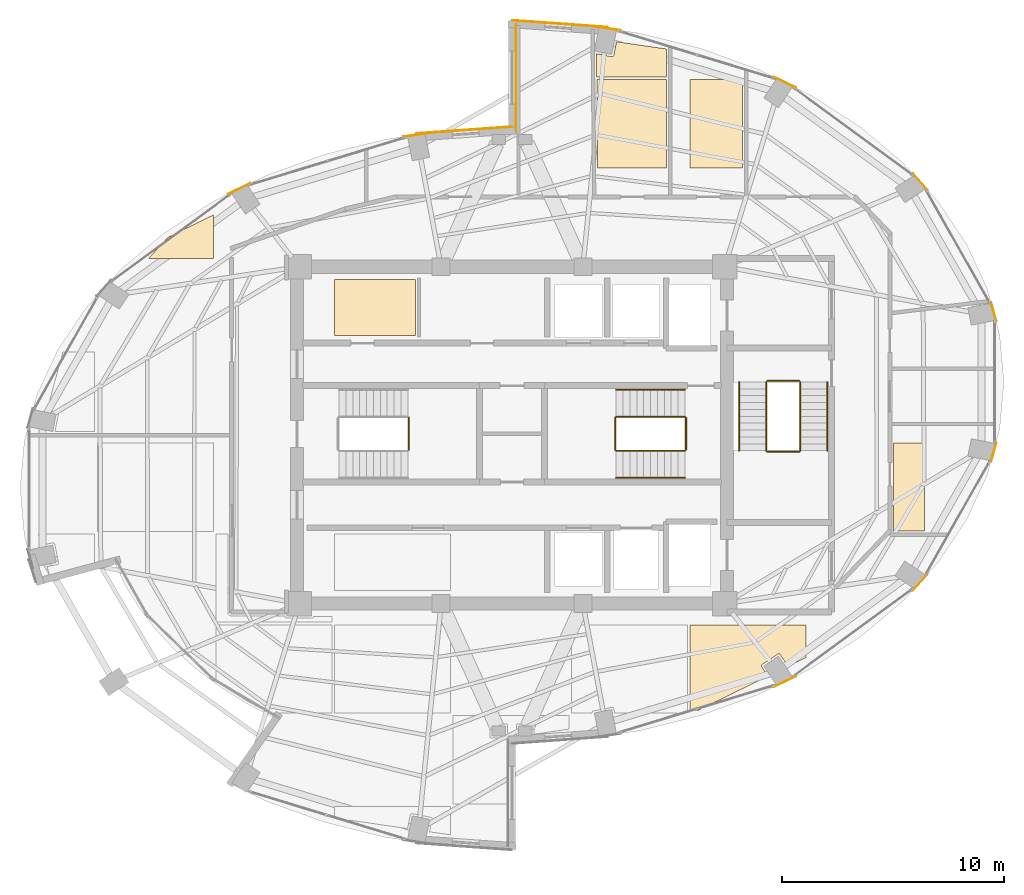
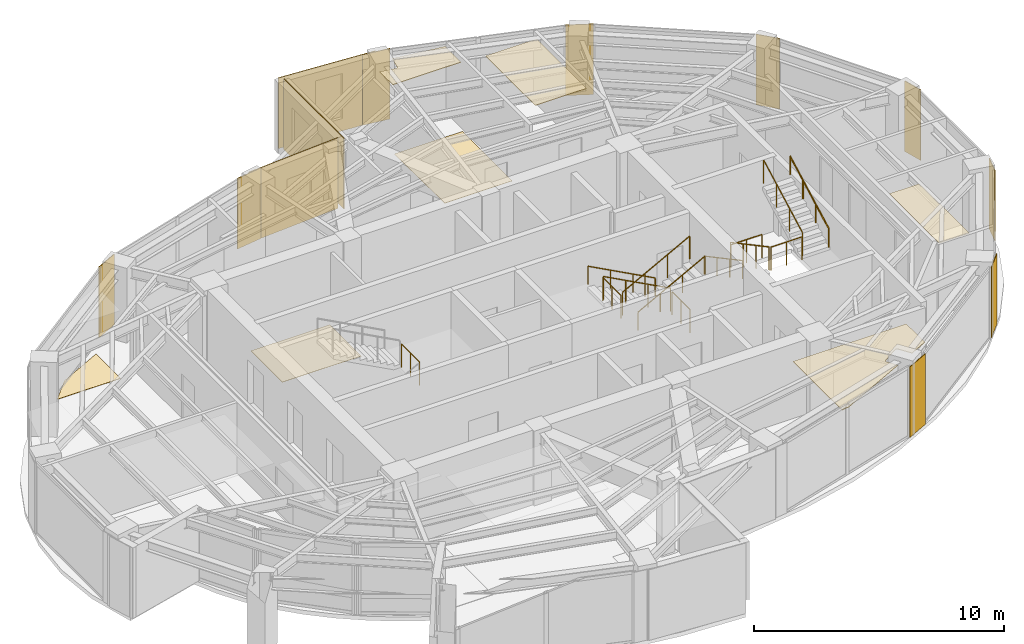
# One storey, part 22 of 22: 19 coverings, 13 railings.
"""IFC4 building model written with IfcOpenShell, lengths in metres."""

from ifc_helpers import new_model, si_unit, direction, frame, origin, origin_2d, place, context, subcontext, project, spatial, polyline, rectangle, circle, outline, extrude, material, layer, layer_set, type_object, element, save


model = new_model("IFC4")

# Units and contexts
model_context = context("Model", 3, precision=1e-05, world=origin(), true_north=direction((0.0, 1.0)))
body_context = subcontext(model_context, "Body", "Model", "MODEL_VIEW")
ifc_project = project(units=[si_unit("LENGTHUNIT", "METRE"), si_unit("AREAUNIT", "SQUARE_METRE"), si_unit("VOLUMEUNIT", "CUBIC_METRE"), si_unit("PLANEANGLEUNIT", "RADIAN"), si_unit("MASSUNIT", "GRAM", prefix="KILO")], contexts=[model_context])

# Site, building, storey
site_placement = place(None, origin())
site = spatial("IfcSite", under=ifc_project, at=site_placement, CompositionType="ELEMENT")
building_placement = place(site_placement, origin())
building = spatial("IfcBuilding", under=site, at=building_placement, Name="Lazwardi Medical Tower", CompositionType="ELEMENT")
storey_placement = place(building_placement, frame((0.0, 0.0, 224.01611328125)))
storey = spatial("IfcBuildingStorey", under=building, at=storey_placement, Name="L58", CompositionType="ELEMENT", Elevation=224.01611328125)

# Coverings
ifc_material_1 = material(Name="Anodised bronze aluminium cassette cladding", Category="aluminium")
ifc_layer_1 = layer(ifc_material_1, 0.030029296875)
ifc_layer_set_1 = layer_set([ifc_layer_1], Name="Anodised bronze aluminium cassette cladding")
covering_type_1 = type_object("IfcCoveringType", Name="COV-CLD-BRZ", PredefinedType="CLADDING", material=ifc_layer_set_1)
covering_1_placement = place(storey_placement, frame((48.311279296875, 16.878662109375, 0.0), z_axis=(0.0, 0.0, 1.0), x_axis=(0.897840141691, 0.440321564278, 0.0)))
element("IfcCovering", 1, at=covering_1_placement, inside=storey, type_object=covering_type_1, Name="L58 Mega-column bronze cassette cover M02", PredefinedType="CLADDING", context=body_context, shape_type="SweptSolid", body=[
    extrude(rectangle(XDim=1.110595703125, YDim=0.030029296875, at=origin_2d()), origin(), (0.0, 0.0, 1.0), 3.447998046875),
])
covering_2_placement = place(storey_placement, frame((54.42529296875, 21.365234375, 0.0), z_axis=(0.0, 0.0, 1.0), x_axis=(0.673240970654, 0.739423150458, 0.0)))
element("IfcCovering", 2, at=covering_2_placement, inside=storey, type_object=covering_type_1, Name="L58 Mega-column bronze cassette cover M03", PredefinedType="CLADDING", context=body_context, shape_type="SweptSolid", body=[
    extrude(rectangle(XDim=0.98974609375, YDim=0.030029296875, at=origin_2d()), origin(), (0.0, 0.0, 1.0), 3.447998046875),
])
for number, where, z_axis, x_axis, name in (
    (3, (57.734130859375, 27.227294921875, 0.0), (0.0, 0.0, 1.0), (0.261641748247, 0.96516506131, 0.0), "L58 Mega-column bronze cassette cover M04"),
    (4, (57.734130859375, 33.572509765625, 0.0), (0.0, 0.0, 1.0), (-0.261641748247, 0.96516506131, 0.0), "L58 Mega-column bronze cassette cover M05"),
):
    element("IfcCovering", number, at=place(storey_placement, frame(where, z_axis=z_axis, x_axis=x_axis)), inside=storey, type_object=covering_type_1, Name=name, PredefinedType="CLADDING", context=body_context, shape_type="SweptSolid", body=[
        extrude(rectangle(XDim=0.894287109375, YDim=0.030029296875, at=origin_2d()), origin(), (0.0, 0.0, 1.0), 3.447998046875),
    ])
covering_3_placement = place(storey_placement, frame((54.42529296875, 39.434814453125, 0.0), z_axis=(0.0, 0.0, 1.0), x_axis=(-0.673240970654, 0.739423150458, 0.0)))
element("IfcCovering", 5, at=covering_3_placement, inside=storey, type_object=covering_type_1, Name="L58 Mega-column bronze cassette cover M06", PredefinedType="CLADDING", context=body_context, shape_type="SweptSolid", body=[
    extrude(rectangle(XDim=0.98974609375, YDim=0.030029296875, at=origin_2d()), origin(), (0.0, 0.0, 1.0), 3.447998046875),
])
covering_4_placement = place(storey_placement, frame((48.311279296875, 43.92138671875, 0.0), z_axis=(0.0, 0.0, 1.0), x_axis=(-0.897840141691, 0.440321564278, 0.0)))
element("IfcCovering", 6, at=covering_4_placement, inside=storey, type_object=covering_type_1, Name="L58 Mega-column bronze cassette cover M07", PredefinedType="CLADDING", context=body_context, shape_type="SweptSolid", body=[
    extrude(rectangle(XDim=1.110595703125, YDim=0.030029296875, at=origin_2d()), origin(), (0.0, 0.0, 1.0), 3.447998046875),
])
for number, where, z_axis, x_axis, name in (
    (7, (40.3232421875, 46.349609375, 0.0), (0.0, 0.0, 1.0), (-0.989512431533, 0.144447733943, 0.0), "L58 Mega-column bronze cassette cover M08"),
    (8, (31.6767578125, 41.549560546875, 0.0), (0.0, 0.0, 1.0), (-0.989512431533, -0.144447733943, 0.0), "L58 Mega-column bronze cassette cover M09"),
):
    element("IfcCovering", number, at=place(storey_placement, frame(where, z_axis=z_axis, x_axis=x_axis)), inside=storey, type_object=covering_type_1, Name=name, PredefinedType="CLADDING", context=body_context, shape_type="SweptSolid", body=[
        extrude(rectangle(XDim=1.188720703125, YDim=0.030029296875, at=origin_2d()), origin(), (0.0, 0.0, 1.0), 3.447998046875),
    ])
covering_5_placement = place(storey_placement, frame((23.688720703125, 39.121337890625, 0.0), z_axis=(0.0, 0.0, 1.0), x_axis=(-0.897840141691, -0.440321564278, 0.0)))
element("IfcCovering", 9, at=covering_5_placement, inside=storey, type_object=covering_type_1, Name="L58 Mega-column bronze cassette cover M10", PredefinedType="CLADDING", context=body_context, shape_type="SweptSolid", body=[
    extrude(rectangle(XDim=1.110595703125, YDim=0.030029296875, at=origin_2d()), origin(), (0.0, 0.0, 1.0), 3.447998046875),
])
ifc_material_2 = material(Name="Turquoise glazed ceramic tilework cladding", Category="masonry")
ifc_layer_2 = layer(ifc_material_2, 0.034912109375)
ifc_layer_set_2 = layer_set([ifc_layer_2], Name="Turquoise glazed ceramic tilework cladding")
covering_type_2 = type_object("IfcCoveringType", Name="COV-CLD-TRQ", PredefinedType="CLADDING", material=ifc_layer_set_2)
covering_6_placement = place(storey_placement, frame((38.16259765625, 46.56005859375, 0.0), z_axis=(0.0, 0.0, 1.0), x_axis=(-0.997409491337, 0.071932653157, 0.0)))
element("IfcCovering", 10, at=covering_6_placement, inside=storey, type_object=covering_type_2, Name="L58 Turquoise glazed ceramic tilework cladding", PredefinedType="CLADDING", context=body_context, shape_type="SweptSolid", body=[
    extrude(rectangle(XDim=4.31103515625, YDim=0.034912109375, at=origin_2d()), origin(), (0.0, 0.0, 1.0), 3.447998046875),
])
covering_7_placement = place(storey_placement, frame((33.83740234375, 41.760009765625, 0.0), z_axis=(0.0, 0.0, 1.0), x_axis=(-0.997408989128, -0.071939616387, 0.0)))
element("IfcCovering", 11, at=covering_7_placement, inside=storey, type_object=covering_type_2, Name="L58 Turquoise glazed ceramic tilework cladding", PredefinedType="CLADDING", context=body_context, shape_type="SweptSolid", body=[
    extrude(rectangle(XDim=4.310546875, YDim=0.034912109375, at=origin_2d()), origin(), (0.0, 0.0, 1.0), 3.447998046875),
])
covering_8_placement = place(storey_placement, frame((36.175537109375, 44.139892578125, 0.0), z_axis=(0.0, 0.0, 1.0), x_axis=(0.0, -1.0, 0.0)))
element("IfcCovering", 12, at=covering_8_placement, inside=storey, type_object=covering_type_2, Name="L58 Turquoise glazed ceramic tilework iwan panel", PredefinedType="CLADDING", context=body_context, shape_type="SweptSolid", body=[
    extrude(rectangle(XDim=4.800048828125, YDim=0.034912109375, at=origin_2d()), origin(), (0.0, 0.0, 1.0), 3.447998046875),
])
ifc_material_3 = material(Name="Acoustic mineral fibre tile")
ifc_layer_3 = layer(ifc_material_3, 0.02490234375)
ifc_layer_set_3 = layer_set([ifc_layer_3], Name="Acoustic mineral fibre tile")
covering_type_3 = type_object("IfcCoveringType", Name="COV-CLG-01", PredefinedType="CEILING", material=ifc_layer_set_3)
covering_9_placement = place(storey_placement, frame((0.0, 0.0, 3.302978515625)))
element("IfcCovering", 13, at=covering_9_placement, inside=storey, type_object=covering_type_3, Name="L58 Clinical Acoustic Ceiling 7", PredefinedType="CEILING", context=body_context, shape_type="SweptSolid", body=[
    extrude(outline(polyline([(42.97509765625, 44.16259765625), (42.97509765625, 45.42333984375), (40.714599609375, 45.752685546875), (40.59326171875, 45.1416015625), (40.59130859375, 45.134033203125), (40.588623046875, 45.126708984375), (40.585205078125, 45.11962890625), (40.581298828125, 45.11279296875), (40.576416015625, 45.1064453125), (40.5712890625, 45.1005859375), (40.5654296875, 45.095458984375), (40.55908203125, 45.0908203125), (40.552490234375, 45.086669921875), (40.54541015625, 45.08349609375), (40.537841796875, 45.080810546875), (40.5302734375, 45.078857421875), (40.5224609375, 45.07763671875), (40.5146484375, 45.077392578125), (40.5068359375, 45.07763671875), (40.4990234375, 45.078857421875), (39.81298828125, 45.21533203125), (39.822998046875, 44.16259765625), (42.97509765625, 44.16259765625)])), origin(), (0.0, 0.0, 1.0), 0.02490234375),
])
covering_10_placement = place(storey_placement, frame((0.0, 0.0, 3.302978515625)))
element("IfcCovering", 14, at=covering_10_placement, inside=storey, type_object=covering_type_3, Name="L58 Clinical Acoustic Ceiling 8", PredefinedType="CEILING", context=body_context, shape_type="SweptSolid", body=[
    extrude(outline(polyline([(44.04296875, 15.531982421875), (44.40283203125, 15.58447265625), (47.5478515625, 17.122802734375), (47.267822265625, 17.5419921875), (47.263916015625, 17.548828125), (47.260498046875, 17.555908203125), (47.2578125, 17.563232421875), (47.255859375, 17.57080078125), (47.2548828125, 17.57861328125), (47.25439453125, 17.58642578125), (47.2548828125, 17.59423828125), (47.255859375, 17.60205078125), (47.2578125, 17.609619140625), (47.260498046875, 17.6171875), (47.263916015625, 17.624267578125), (47.267822265625, 17.630859375), (47.272705078125, 17.63720703125), (47.27783203125, 17.64306640625), (47.28369140625, 17.648193359375), (47.2900390625, 17.653076171875), (47.98828125, 18.11962890625), (47.9951171875, 18.123779296875), (48.002197265625, 18.127197265625), (48.009521484375, 18.1298828125), (48.01708984375, 18.131591796875), (48.02490234375, 18.1328125), (48.03271484375, 18.13330078125), (48.04052734375, 18.1328125), (48.04833984375, 18.131591796875), (48.055908203125, 18.1298828125), (48.0634765625, 18.127197265625), (48.070556640625, 18.123779296875), (48.0771484375, 18.11962890625), (48.08349609375, 18.114990234375), (48.08935546875, 18.10986328125), (48.094482421875, 18.10400390625), (48.099365234375, 18.09765625), (48.454345703125, 17.56640625), (49.27294921875, 17.966796875), (49.27294921875, 19.4423828125), (44.04296875, 19.4423828125), (44.04296875, 15.531982421875)])), origin(), (0.0, 0.0, 1.0), 0.02490234375),
])
covering_11_placement = place(storey_placement, frame((0.0, 0.0, 3.302978515625)))
element("IfcCovering", 15, at=covering_11_placement, inside=storey, type_object=covering_type_3, Name="L58 Clinical Acoustic Ceiling 9", PredefinedType="CEILING", context=body_context, shape_type="SweptSolid", body=[
    extrude(outline(polyline([(46.405029296875, 40.0625), (46.405029296875, 44.04248046875), (44.04296875, 44.04248046875), (44.04296875, 40.0625), (46.405029296875, 40.0625)])), origin(), (0.0, 0.0, 1.0), 0.02490234375),
])
covering_12_placement = place(storey_placement, frame((0.0, 0.0, 3.302978515625)))
element("IfcCovering", 16, at=covering_12_placement, inside=storey, type_object=covering_type_3, Name="L58 Clinical Acoustic Ceiling 10", PredefinedType="CEILING", context=body_context, shape_type="SweptSolid", body=[
    extrude(outline(polyline([(53.22509765625, 27.642578125), (53.22509765625, 23.685546875), (53.224853515625, 23.681884765625), (53.224609375, 23.6728515625), (53.223876953125, 23.6650390625), (54.622802734375, 23.6650390625), (54.622802734375, 27.642578125), (53.22509765625, 27.642578125)])), origin(), (0.0, 0.0, 1.0), 0.02490234375),
])
ifc_material_4 = material(Name="Anti-static hospital vinyl sheet flooring")
ifc_layer_4 = layer(ifc_material_4, 0.014892578125)
ifc_layer_set_4 = layer_set([ifc_layer_4], Name="Anti-static hospital vinyl sheet flooring")
covering_type_4 = type_object("IfcCoveringType", Name="COV-FLR-01", PredefinedType="FLOORING", material=ifc_layer_set_4)
covering_13_placement = place(storey_placement, origin())
element("IfcCovering", 17, at=covering_13_placement, inside=storey, type_object=covering_type_4, Name="L58 Clinical Vinyl Flooring 3", PredefinedType="FLOORING", context=body_context, shape_type="SweptSolid", body=[
    extrude(outline(polyline([(22.52294921875, 37.93359375), (20.478271484375, 36.933349609375), (19.592041015625, 35.96240234375), (22.52294921875, 35.96240234375), (22.52294921875, 37.93359375)])), origin(), (0.0, 0.0, 1.0), 0.014892578125),
])
covering_14_placement = place(storey_placement, origin())
element("IfcCovering", 18, at=covering_14_placement, inside=storey, type_object=covering_type_4, Name="L58 Clinical Vinyl Flooring 7", PredefinedType="FLOORING", context=body_context, shape_type="SweptSolid", body=[
    extrude(outline(polyline([(27.992919921875, 32.5), (31.639892578125, 32.5), (31.639892578125, 35.02001953125), (27.992919921875, 35.02001953125), (27.992919921875, 32.5)])), origin(), (0.0, 0.0, 1.0), 0.014892578125),
])
covering_15_placement = place(storey_placement, origin())
element("IfcCovering", 19, at=covering_15_placement, inside=storey, type_object=covering_type_4, Name="L58 Clinical Vinyl Flooring 10", PredefinedType="FLOORING", context=body_context, shape_type="SweptSolid", body=[
    extrude(outline(polyline([(39.82421875, 44.04248046875), (39.862548828125, 40.0625), (42.97509765625, 40.0625), (42.97509765625, 44.04248046875), (39.82421875, 44.04248046875)])), origin(), (0.0, 0.0, 1.0), 0.014892578125),
])

# Railings
ifc_material_5 = material(Name="Stainless steel Grade 316", Category="steel")
railing_type_1 = type_object("IfcRailingType", Name="RLG-GRD-1150", PredefinedType="GUARDRAIL", material=ifc_material_5)
railing_1_placement = place(storey_placement, frame((31.35009765625, 27.340087890625, 1.823974609375)))
element("IfcRailing", 20, at=railing_1_placement, inside=storey, type_object=railing_type_1, Name="L58 ST1 stair guard 2", PredefinedType="GUARDRAIL", context=body_context, shape_type="SweptSolid", body=[
    extrude(circle(Radius=0.02392578125, at=origin_2d()), frame((0.0, 0.0, 1.1259765625), z_axis=(0.0, 1.0, 0.0), x_axis=(-1.0, 0.0, 0.0)), (0.0, 0.0, 1.0), 1.43994140625),
    extrude(circle(Radius=0.02099609375, at=origin_2d()), origin(), (0.0, 0.0, 1.0), 1.099853515625),
    extrude(circle(Radius=0.02099609375, at=origin_2d()), frame((0.0, 0.719970703125, 0.0)), (0.0, 0.0, 1.0), 1.099853515625),
    extrude(circle(Radius=0.02099609375, at=origin_2d()), frame((0.0, 1.43994140625, 0.0)), (0.0, 0.0, 1.0), 1.099853515625),
])
railing_2_placement = place(storey_placement, frame((43.800048828125, 28.830078125, 0.165771484375)))
element("IfcRailing", 21, at=railing_2_placement, inside=storey, type_object=railing_type_1, Name="L58 ST2 stair guard 1", PredefinedType="GUARDRAIL", context=body_context, shape_type="SweptSolid", body=[
    extrude(circle(Radius=0.02392578125, at=origin_2d()), frame((0.0, 0.0, 1.1259765625), z_axis=(-0.881783298633, 0.0, 0.471654761719), x_axis=(0.0, -1.0, 0.0)), (0.0, 0.0, 1.0), 3.515625),
    extrude(circle(Radius=0.02099609375, at=origin_2d()), origin(), (0.0, 0.0, 1.0), 1.099853515625),
    extrude(circle(Radius=0.02099609375, at=origin_2d()), frame((-1.033447265625, 0.0, 0.552734375)), (0.0, 0.0, 1.0), 1.099853515625),
    extrude(circle(Radius=0.02099609375, at=origin_2d()), frame((-2.066650390625, 0.0, 1.10546875)), (0.0, 0.0, 1.0), 1.099853515625),
    extrude(circle(Radius=0.02099609375, at=origin_2d()), frame((-3.10009765625, 0.0, 1.658203125)), (0.0, 0.0, 1.0), 1.099853515625),
])
railing_3_placement = place(storey_placement, frame((40.64990234375, 28.780029296875, 1.823974609375)))
element("IfcRailing", 22, at=railing_3_placement, inside=storey, type_object=railing_type_1, Name="L58 ST2 stair guard 2", PredefinedType="GUARDRAIL", context=body_context, shape_type="SweptSolid", body=[
    extrude(circle(Radius=0.02392578125, at=origin_2d()), frame((0.0, 0.0, 1.1259765625), z_axis=(0.0, -1.0, 0.0), x_axis=(1.0, 0.0, 0.0)), (0.0, 0.0, 1.0), 1.43994140625),
    extrude(circle(Radius=0.02099609375, at=origin_2d()), origin(), (0.0, 0.0, 1.0), 1.099853515625),
    extrude(circle(Radius=0.02099609375, at=origin_2d()), frame((0.0, -0.719970703125, 0.0)), (0.0, 0.0, 1.0), 1.099853515625),
    extrude(circle(Radius=0.02099609375, at=origin_2d()), frame((0.0, -1.43994140625, 0.0)), (0.0, 0.0, 1.0), 1.099853515625),
])
railing_4_placement = place(storey_placement, frame((40.699951171875, 27.2900390625, 1.98974609375)))
element("IfcRailing", 23, at=railing_4_placement, inside=storey, type_object=railing_type_1, Name="L58 ST2 stair guard 3", PredefinedType="GUARDRAIL", context=body_context, shape_type="SweptSolid", body=[
    extrude(circle(Radius=0.02392578125, at=origin_2d()), frame((0.0, 0.0, 1.1259765625), z_axis=(0.881783298633, 0.0, 0.471654761719), x_axis=(0.0, 1.0, 0.0)), (0.0, 0.0, 1.0), 3.515625),
    extrude(circle(Radius=0.02099609375, at=origin_2d()), origin(), (0.0, 0.0, 1.0), 1.099853515625),
    extrude(circle(Radius=0.02099609375, at=origin_2d()), frame((1.033447265625, 0.0, 0.552734375)), (0.0, 0.0, 1.0), 1.099853515625),
    extrude(circle(Radius=0.02099609375, at=origin_2d()), frame((2.066650390625, 0.0, 1.10546875)), (0.0, 0.0, 1.0), 1.099853515625),
    extrude(circle(Radius=0.02099609375, at=origin_2d()), frame((3.10009765625, 0.0, 1.658203125)), (0.0, 0.0, 1.0), 1.099853515625),
])
railing_5_placement = place(storey_placement, frame((43.85009765625, 28.780029296875, 0.0)))
element("IfcRailing", 24, at=railing_5_placement, inside=storey, type_object=railing_type_1, Name="L58 ST2 stair guard 4", PredefinedType="GUARDRAIL", context=body_context, shape_type="SweptSolid", body=[
    extrude(circle(Radius=0.02392578125, at=origin_2d()), frame((0.0, 0.0, 1.1259765625), z_axis=(0.0, -1.0, 0.0), x_axis=(1.0, 0.0, 0.0)), (0.0, 0.0, 1.0), 1.43994140625),
    extrude(circle(Radius=0.02099609375, at=origin_2d()), origin(), (0.0, 0.0, 1.0), 1.099853515625),
    extrude(circle(Radius=0.02099609375, at=origin_2d()), frame((0.0, -0.719970703125, 0.0)), (0.0, 0.0, 1.0), 1.099853515625),
    extrude(circle(Radius=0.02099609375, at=origin_2d()), frame((0.0, -1.43994140625, 0.0)), (0.0, 0.0, 1.0), 1.099853515625),
])
railing_6_placement = place(storey_placement, frame((47.469970703125, 30.39990234375, 0.165771484375)))
element("IfcRailing", 25, at=railing_6_placement, inside=storey, type_object=railing_type_1, Name="L58 ST3 stair guard 1", PredefinedType="GUARDRAIL", context=body_context, shape_type="SweptSolid", body=[
    extrude(circle(Radius=0.02392578125, at=origin_2d()), frame((0.0, 0.0, 1.1259765625), z_axis=(0.0, -0.881767849116, 0.471683644262), x_axis=(1.0, 0.0, 0.0)), (0.0, 0.0, 1.0), 3.515380859375),
    extrude(circle(Radius=0.02099609375, at=origin_2d()), origin(), (0.0, 0.0, 1.0), 1.099853515625),
    extrude(circle(Radius=0.02099609375, at=origin_2d()), frame((0.0, -1.033203125, 0.552734375)), (0.0, 0.0, 1.0), 1.099853515625),
    extrude(circle(Radius=0.02099609375, at=origin_2d()), frame((0.0, -2.066650390625, 1.10546875)), (0.0, 0.0, 1.0), 1.099853515625),
    extrude(circle(Radius=0.02099609375, at=origin_2d()), frame((0.0, -3.099853515625, 1.658203125)), (0.0, 0.0, 1.0), 1.099853515625),
])
railing_7_placement = place(storey_placement, frame((47.52001953125, 27.25, 1.823974609375)))
element("IfcRailing", 26, at=railing_7_placement, inside=storey, type_object=railing_type_1, Name="L58 ST3 stair guard 2", PredefinedType="GUARDRAIL", context=body_context, shape_type="SweptSolid", body=[
    extrude(circle(Radius=0.02392578125, at=origin_2d()), frame((0.0, 0.0, 1.1259765625), z_axis=(1.0, 0.0, 0.0), x_axis=(0.0, 1.0, 0.0)), (0.0, 0.0, 1.0), 1.43994140625),
    extrude(circle(Radius=0.02099609375, at=origin_2d()), origin(), (0.0, 0.0, 1.0), 1.099853515625),
    extrude(circle(Radius=0.02099609375, at=origin_2d()), frame((0.719970703125, 0.0, 0.0)), (0.0, 0.0, 1.0), 1.099853515625),
    extrude(circle(Radius=0.02099609375, at=origin_2d()), frame((1.43994140625, 0.0, 0.0)), (0.0, 0.0, 1.0), 1.099853515625),
])
railing_8_placement = place(storey_placement, frame((49.010009765625, 27.300048828125, 1.98974609375)))
element("IfcRailing", 27, at=railing_8_placement, inside=storey, type_object=railing_type_1, Name="L58 ST3 stair guard 3", PredefinedType="GUARDRAIL", context=body_context, shape_type="SweptSolid", body=[
    extrude(circle(Radius=0.02392578125, at=origin_2d()), frame((0.0, 0.0, 1.1259765625), z_axis=(0.0, 0.881767849116, 0.471683644262), x_axis=(-1.0, 0.0, 0.0)), (0.0, 0.0, 1.0), 3.515380859375),
    extrude(circle(Radius=0.02099609375, at=origin_2d()), origin(), (0.0, 0.0, 1.0), 1.099853515625),
    extrude(circle(Radius=0.02099609375, at=origin_2d()), frame((0.0, 1.033203125, 0.552734375)), (0.0, 0.0, 1.0), 1.099853515625),
    extrude(circle(Radius=0.02099609375, at=origin_2d()), frame((0.0, 2.066650390625, 1.10546875)), (0.0, 0.0, 1.0), 1.099853515625),
    extrude(circle(Radius=0.02099609375, at=origin_2d()), frame((0.0, 3.099853515625, 1.658203125)), (0.0, 0.0, 1.0), 1.099853515625),
])
railing_9_placement = place(storey_placement, frame((47.52001953125, 30.449951171875, 0.0)))
element("IfcRailing", 28, at=railing_9_placement, inside=storey, type_object=railing_type_1, Name="L58 ST3 stair guard 4", PredefinedType="GUARDRAIL", context=body_context, shape_type="SweptSolid", body=[
    extrude(circle(Radius=0.02392578125, at=origin_2d()), frame((0.0, 0.0, 1.1259765625), z_axis=(1.0, 0.0, 0.0), x_axis=(0.0, 1.0, 0.0)), (0.0, 0.0, 1.0), 1.43994140625),
    extrude(circle(Radius=0.02099609375, at=origin_2d()), origin(), (0.0, 0.0, 1.0), 1.099853515625),
    extrude(circle(Radius=0.02099609375, at=origin_2d()), frame((0.719970703125, 0.0, 0.0)), (0.0, 0.0, 1.0), 1.099853515625),
    extrude(circle(Radius=0.02099609375, at=origin_2d()), frame((1.43994140625, 0.0, 0.0)), (0.0, 0.0, 1.0), 1.099853515625),
])
railing_type_2 = type_object("IfcRailingType", Name="RLG-HND-920", PredefinedType="HANDRAIL", material=ifc_material_5)
railing_10_placement = place(storey_placement, frame((43.800048828125, 30.050048828125, 0.165771484375)))
element("IfcRailing", 29, at=railing_10_placement, inside=storey, type_object=railing_type_2, Name="L58 ST2 stair handrail 1", PredefinedType="HANDRAIL", context=body_context, shape_type="SweptSolid", body=[
    extrude(circle(Radius=0.02392578125, at=origin_2d()), frame((0.0, 0.0, 0.8857421875), z_axis=(-0.881783298633, 0.0, 0.471654761719), x_axis=(0.0, -1.0, 0.0)), (0.0, 0.0, 1.0), 3.515625),
    extrude(circle(Radius=0.02099609375, at=origin_2d()), origin(), (0.0, 0.0, 1.0), 0.85986328125),
    extrude(circle(Radius=0.02099609375, at=origin_2d()), frame((-1.033447265625, 0.0, 0.552734375)), (0.0, 0.0, 1.0), 0.85986328125),
    extrude(circle(Radius=0.02099609375, at=origin_2d()), frame((-2.066650390625, 0.0, 1.10546875)), (0.0, 0.0, 1.0), 0.85986328125),
    extrude(circle(Radius=0.02099609375, at=origin_2d()), frame((-3.10009765625, 0.0, 1.658203125)), (0.0, 0.0, 1.0), 0.85986328125),
])
railing_11_placement = place(storey_placement, frame((40.699951171875, 26.070068359375, 1.98974609375)))
element("IfcRailing", 30, at=railing_11_placement, inside=storey, type_object=railing_type_2, Name="L58 ST2 stair handrail 2", PredefinedType="HANDRAIL", context=body_context, shape_type="SweptSolid", body=[
    extrude(circle(Radius=0.02392578125, at=origin_2d()), frame((0.0, 0.0, 0.8857421875), z_axis=(0.881783298633, 0.0, 0.471654761719), x_axis=(0.0, 1.0, 0.0)), (0.0, 0.0, 1.0), 3.515625),
    extrude(circle(Radius=0.02099609375, at=origin_2d()), origin(), (0.0, 0.0, 1.0), 0.85986328125),
    extrude(circle(Radius=0.02099609375, at=origin_2d()), frame((1.033447265625, 0.0, 0.552734375)), (0.0, 0.0, 1.0), 0.85986328125),
    extrude(circle(Radius=0.02099609375, at=origin_2d()), frame((2.066650390625, 0.0, 1.10546875)), (0.0, 0.0, 1.0), 0.85986328125),
    extrude(circle(Radius=0.02099609375, at=origin_2d()), frame((3.10009765625, 0.0, 1.658203125)), (0.0, 0.0, 1.0), 0.85986328125),
])
railing_12_placement = place(storey_placement, frame((46.25, 30.39990234375, 0.165771484375)))
element("IfcRailing", 31, at=railing_12_placement, inside=storey, type_object=railing_type_2, Name="L58 ST3 stair handrail 1", PredefinedType="HANDRAIL", context=body_context, shape_type="SweptSolid", body=[
    extrude(circle(Radius=0.02392578125, at=origin_2d()), frame((0.0, 0.0, 0.8857421875), z_axis=(0.0, -0.881767849116, 0.471683644262), x_axis=(1.0, 0.0, 0.0)), (0.0, 0.0, 1.0), 3.515380859375),
    extrude(circle(Radius=0.02099609375, at=origin_2d()), origin(), (0.0, 0.0, 1.0), 0.85986328125),
    extrude(circle(Radius=0.02099609375, at=origin_2d()), frame((0.0, -1.033203125, 0.552734375)), (0.0, 0.0, 1.0), 0.85986328125),
    extrude(circle(Radius=0.02099609375, at=origin_2d()), frame((0.0, -2.066650390625, 1.10546875)), (0.0, 0.0, 1.0), 0.85986328125),
    extrude(circle(Radius=0.02099609375, at=origin_2d()), frame((0.0, -3.099853515625, 1.658203125)), (0.0, 0.0, 1.0), 0.85986328125),
])
railing_13_placement = place(storey_placement, frame((50.22998046875, 27.300048828125, 1.98974609375)))
element("IfcRailing", 32, at=railing_13_placement, inside=storey, type_object=railing_type_2, Name="L58 ST3 stair handrail 2", PredefinedType="HANDRAIL", context=body_context, shape_type="SweptSolid", body=[
    extrude(circle(Radius=0.02392578125, at=origin_2d()), frame((0.0, 0.0, 0.8857421875), z_axis=(0.0, 0.881767849116, 0.471683644262), x_axis=(-1.0, 0.0, 0.0)), (0.0, 0.0, 1.0), 3.515380859375),
    extrude(circle(Radius=0.02099609375, at=origin_2d()), origin(), (0.0, 0.0, 1.0), 0.85986328125),
    extrude(circle(Radius=0.02099609375, at=origin_2d()), frame((0.0, 1.033203125, 0.552734375)), (0.0, 0.0, 1.0), 0.85986328125),
    extrude(circle(Radius=0.02099609375, at=origin_2d()), frame((0.0, 2.066650390625, 1.10546875)), (0.0, 0.0, 1.0), 0.85986328125),
    extrude(circle(Radius=0.02099609375, at=origin_2d()), frame((0.0, 3.099853515625, 1.658203125)), (0.0, 0.0, 1.0), 0.85986328125),
])

save(model, "model.ifc")
